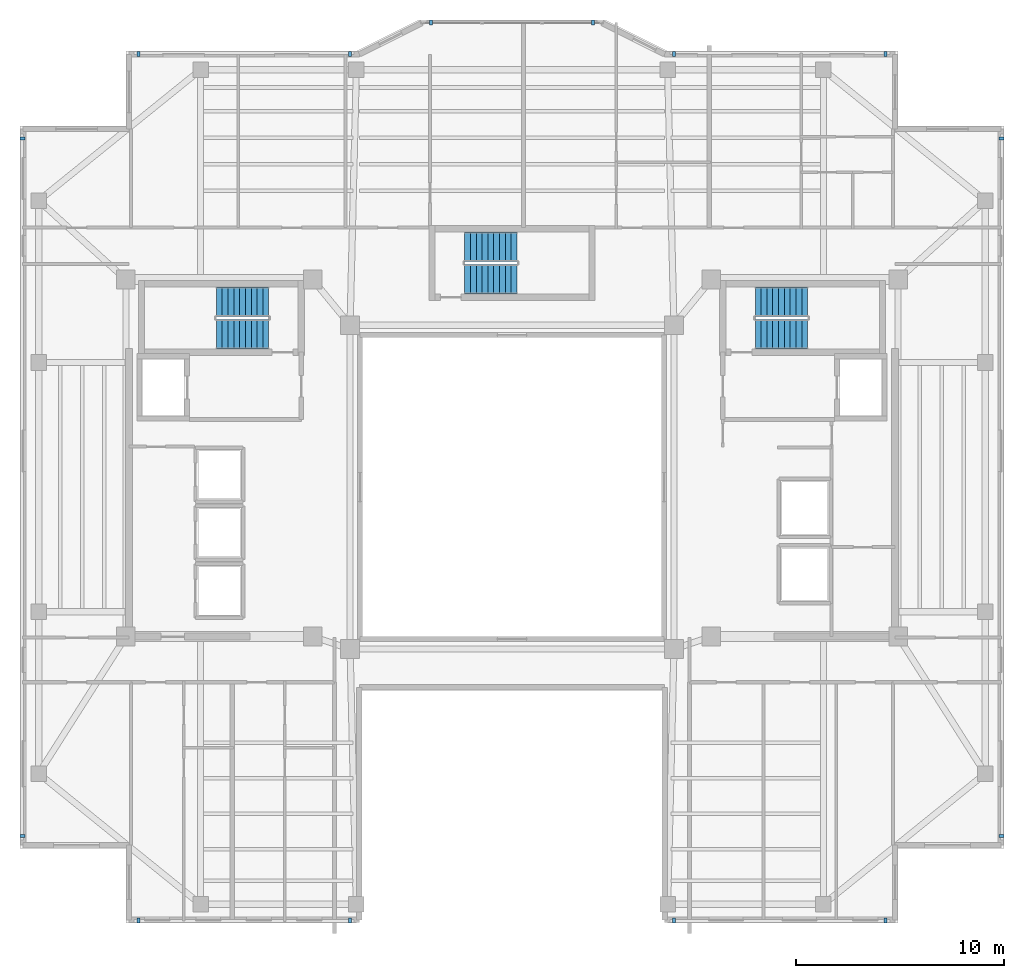
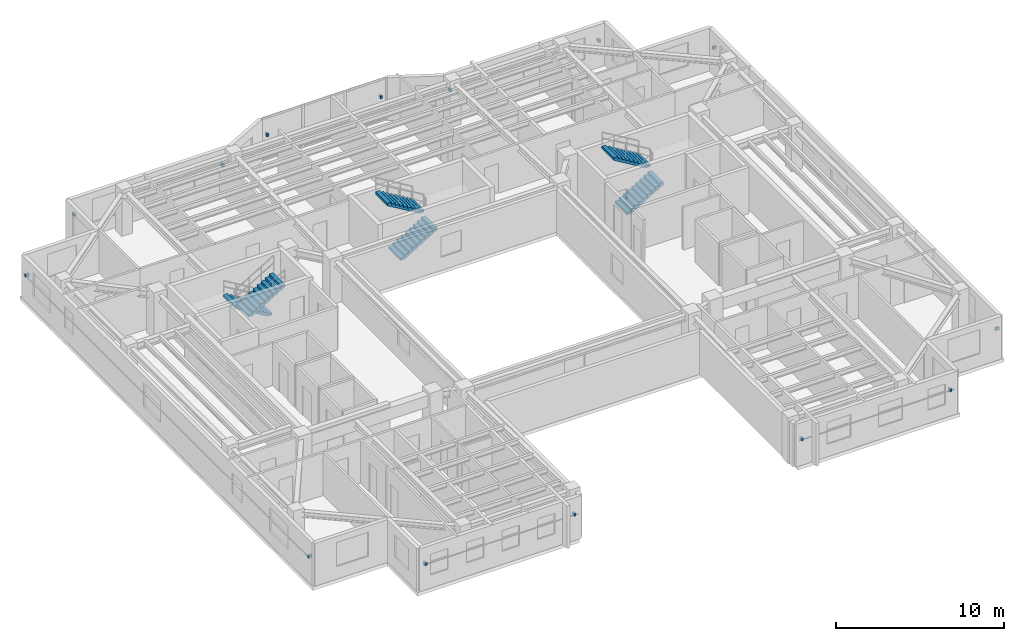
# One storey, part 8 of 11: 14 discrete accessories, 6 stair flights, 3 elements without a shape of their own.
"""IFC4 building model written with IfcOpenShell, lengths in metres."""

from ifc_helpers import new_model, si_unit, direction, frame, origin, origin_2d, place, context, subcontext, project, spatial, polyline, rectangle, outline, extrude, material, type_object, element, aggregate, save


model = new_model("IFC4")

# Units and contexts
model_context = context("Model", 3, precision=1e-05, world=origin(), true_north=direction((0.0, 1.0)))
body_context = subcontext(model_context, "Body", "Model", "MODEL_VIEW")
ifc_project = project(units=[si_unit("LENGTHUNIT", "METRE"), si_unit("AREAUNIT", "SQUARE_METRE"), si_unit("VOLUMEUNIT", "CUBIC_METRE"), si_unit("PLANEANGLEUNIT", "RADIAN"), si_unit("MASSUNIT", "GRAM", prefix="KILO")], contexts=[model_context])

# Site, building, storey
site_placement = place(None, origin())
site = spatial("IfcSite", under=ifc_project, at=site_placement, CompositionType="ELEMENT")
building_placement = place(site_placement, origin())
building = spatial("IfcBuilding", under=site, at=building_placement, Name="Tarnavaz Court Tower", CompositionType="ELEMENT")
storey_placement = place(building_placement, frame((0.0, 0.0, 213.699951171875)))
storey = spatial("IfcBuildingStorey", under=building, at=storey_placement, Name="L58", CompositionType="ELEMENT", Elevation=213.699951171875)

# Stair, stair flights
ifc_material_1 = material(Name="Concrete C40/50", Category="concrete")
stair_type = type_object("IfcStairType", Name="ST-TWR-20R", PredefinedType="HALF_TURN_STAIR", material=ifc_material_1)
stair_1_placement = place(storey_placement, origin())
stair_1 = element("IfcStair", 1, at=stair_1_placement, inside=storey, type_object=stair_type, Name="L58 West Core Pressurized Exit Stair ST-W1", PredefinedType="HALF_TURN_STAIR")
stair_flight_type = type_object("IfcStairFlightType", Name="SFL-RC-20R", PredefinedType="STRAIGHT", material=ifc_material_1)
stair_flight_1_placement = place(storey_placement, frame((-11.719970703125, 8.929931640625, 0.0), z_axis=(0.0, 0.0, 1.0), x_axis=(-1.0, 0.0, 0.0)))
stair_flight_1 = element("IfcStairFlight", 2, at=stair_flight_1_placement, type_object=stair_flight_type, Name="ST-W1 flight 1", NumberOfRisers=10, NumberOfTreads=9, PredefinedType="STRAIGHT", RiserHeight=0.1675, TreadLength=0.28, context=body_context, shape_type="SweptSolid", body=[
    extrude(outline(polyline([(0.0, 0.0), (0.0, 0.16748046875), (0.280029296875, 0.16748046875), (0.280029296875, 0.3349609375), (0.56005859375, 0.3349609375), (0.56005859375, 0.50244140625), (0.840087890625, 0.50244140625), (0.840087890625, 0.669921875), (1.1201171875, 0.669921875), (1.1201171875, 0.83740234375), (1.39990234375, 0.83740234375), (1.39990234375, 1.0048828125), (1.679931640625, 1.0048828125), (1.679931640625, 1.172607421875), (1.9599609375, 1.172607421875), (1.9599609375, 1.340087890625), (2.239990234375, 1.340087890625), (2.239990234375, 1.507568359375), (2.52001953125, 1.507568359375), (2.52001953125, 1.675048828125), (2.52001953125, 1.332763671875), (0.2919921875, 0.0), (0.0, 0.0)])), frame((0.0, 0.7099609375, 0.0), z_axis=(0.0, -1.0, 0.0), x_axis=(1.0, 0.0, 0.0)), (0.0, 0.0, 1.0), 1.419921875),
])
stair_flight_2_placement = place(storey_placement, frame((-14.239990234375, 7.360107421875, 1.675048828125), z_axis=(0.0, 0.0, 1.0), x_axis=(1.0, 0.0, 0.0)))
stair_flight_2 = element("IfcStairFlight", 3, at=stair_flight_2_placement, type_object=stair_flight_type, Name="ST-W1 flight 2", NumberOfRisers=10, NumberOfTreads=9, PredefinedType="STRAIGHT", RiserHeight=0.1675, TreadLength=0.28, context=body_context, shape_type="SweptSolid", body=[
    extrude(outline(polyline([(0.0, 0.0), (0.0, 0.16748046875), (0.280029296875, 0.16748046875), (0.280029296875, 0.3349609375), (0.56005859375, 0.3349609375), (0.56005859375, 0.50244140625), (0.840087890625, 0.50244140625), (0.840087890625, 0.669921875), (1.1201171875, 0.669921875), (1.1201171875, 0.83740234375), (1.39990234375, 0.83740234375), (1.39990234375, 1.0048828125), (1.679931640625, 1.0048828125), (1.679931640625, 1.172607421875), (1.9599609375, 1.172607421875), (1.9599609375, 1.340087890625), (2.239990234375, 1.340087890625), (2.239990234375, 1.507568359375), (2.52001953125, 1.507568359375), (2.52001953125, 1.675048828125), (2.52001953125, 1.332763671875), (0.2919921875, 0.0), (0.0, 0.0)])), frame((0.0, 0.7099609375, 0.0), z_axis=(0.0, -1.0, 0.0), x_axis=(1.0, 0.0, 0.0)), (0.0, 0.0, 1.0), 1.419921875),
])
aggregate(stair_1, [stair_flight_1, stair_flight_2])

stair_2_placement = place(storey_placement, origin())
stair_2 = element("IfcStair", 4, at=stair_2_placement, inside=storey, type_object=stair_type, Name="L58 East Core Pressurized Exit Stair ST-E1", PredefinedType="HALF_TURN_STAIR")
stair_flight_3_placement = place(storey_placement, frame((11.719970703125, 7.360107421875, 0.0), z_axis=(0.0, 0.0, 1.0), x_axis=(1.0, 0.0, 0.0)))
stair_flight_3 = element("IfcStairFlight", 5, at=stair_flight_3_placement, type_object=stair_flight_type, Name="ST-E1 flight 1", NumberOfRisers=10, NumberOfTreads=9, PredefinedType="STRAIGHT", RiserHeight=0.1675, TreadLength=0.28, context=body_context, shape_type="SweptSolid", body=[
    extrude(outline(polyline([(0.0, 0.0), (0.0, 0.16748046875), (0.280029296875, 0.16748046875), (0.280029296875, 0.3349609375), (0.56005859375, 0.3349609375), (0.56005859375, 0.50244140625), (0.840087890625, 0.50244140625), (0.840087890625, 0.669921875), (1.1201171875, 0.669921875), (1.1201171875, 0.83740234375), (1.39990234375, 0.83740234375), (1.39990234375, 1.0048828125), (1.679931640625, 1.0048828125), (1.679931640625, 1.172607421875), (1.9599609375, 1.172607421875), (1.9599609375, 1.340087890625), (2.239990234375, 1.340087890625), (2.239990234375, 1.507568359375), (2.52001953125, 1.507568359375), (2.52001953125, 1.675048828125), (2.52001953125, 1.332763671875), (0.2919921875, 0.0), (0.0, 0.0)])), frame((0.0, 0.7099609375, 0.0), z_axis=(0.0, -1.0, 0.0), x_axis=(1.0, 0.0, 0.0)), (0.0, 0.0, 1.0), 1.419921875),
])
stair_flight_4_placement = place(storey_placement, frame((14.239990234375, 8.929931640625, 1.675048828125), z_axis=(0.0, 0.0, 1.0), x_axis=(-1.0, 0.0, 0.0)))
stair_flight_4 = element("IfcStairFlight", 6, at=stair_flight_4_placement, type_object=stair_flight_type, Name="ST-E1 flight 2", NumberOfRisers=10, NumberOfTreads=9, PredefinedType="STRAIGHT", RiserHeight=0.1675, TreadLength=0.28, context=body_context, shape_type="SweptSolid", body=[
    extrude(outline(polyline([(0.0, 0.0), (0.0, 0.16748046875), (0.280029296875, 0.16748046875), (0.280029296875, 0.3349609375), (0.56005859375, 0.3349609375), (0.56005859375, 0.50244140625), (0.840087890625, 0.50244140625), (0.840087890625, 0.669921875), (1.1201171875, 0.669921875), (1.1201171875, 0.83740234375), (1.39990234375, 0.83740234375), (1.39990234375, 1.0048828125), (1.679931640625, 1.0048828125), (1.679931640625, 1.172607421875), (1.9599609375, 1.172607421875), (1.9599609375, 1.340087890625), (2.239990234375, 1.340087890625), (2.239990234375, 1.507568359375), (2.52001953125, 1.507568359375), (2.52001953125, 1.675048828125), (2.52001953125, 1.332763671875), (0.2919921875, 0.0), (0.0, 0.0)])), frame((0.0, 0.7099609375, 0.0), z_axis=(0.0, -1.0, 0.0), x_axis=(1.0, 0.0, 0.0)), (0.0, 0.0, 1.0), 1.419921875),
])
aggregate(stair_2, [stair_flight_3, stair_flight_4])

stair_3_placement = place(storey_placement, origin())
stair_3 = element("IfcStair", 7, at=stair_3_placement, inside=storey, type_object=stair_type, Name="L58 North Ring Pressurized Exit Stair ST-N1", PredefinedType="HALF_TURN_STAIR")
stair_flight_5_placement = place(storey_placement, frame((-2.280029296875, 10.010009765625, 0.0), z_axis=(0.0, 0.0, 1.0), x_axis=(1.0, 0.0, 0.0)))
stair_flight_5 = element("IfcStairFlight", 8, at=stair_flight_5_placement, type_object=stair_flight_type, Name="ST-N1 flight 1", NumberOfRisers=10, NumberOfTreads=9, PredefinedType="STRAIGHT", RiserHeight=0.1675, TreadLength=0.28, context=body_context, shape_type="SweptSolid", body=[
    extrude(outline(polyline([(0.0, 0.0), (0.0, 0.16748046875), (0.280029296875, 0.16748046875), (0.280029296875, 0.3349609375), (0.56005859375, 0.3349609375), (0.56005859375, 0.50244140625), (0.840087890625, 0.50244140625), (0.840087890625, 0.669921875), (1.1201171875, 0.669921875), (1.1201171875, 0.83740234375), (1.39990234375, 0.83740234375), (1.39990234375, 1.0048828125), (1.679931640625, 1.0048828125), (1.679931640625, 1.172607421875), (1.9599609375, 1.172607421875), (1.9599609375, 1.340087890625), (2.239990234375, 1.340087890625), (2.239990234375, 1.507568359375), (2.52001953125, 1.507568359375), (2.52001953125, 1.675048828125), (2.52001953125, 1.332763671875), (0.2919921875, 0.0), (0.0, 0.0)])), frame((0.0, 0.7099609375, 0.0), z_axis=(0.0, -1.0, 0.0), x_axis=(1.0, 0.0, 0.0)), (0.0, 0.0, 1.0), 1.419921875),
])
stair_flight_6_placement = place(storey_placement, frame((0.239990234375, 11.580078125, 1.675048828125), z_axis=(0.0, 0.0, 1.0), x_axis=(-1.0, 0.0, 0.0)))
stair_flight_6 = element("IfcStairFlight", 9, at=stair_flight_6_placement, type_object=stair_flight_type, Name="ST-N1 flight 2", NumberOfRisers=10, NumberOfTreads=9, PredefinedType="STRAIGHT", RiserHeight=0.1675, TreadLength=0.28, context=body_context, shape_type="SweptSolid", body=[
    extrude(outline(polyline([(0.0, 0.0), (0.0, 0.16748046875), (0.280029296875, 0.16748046875), (0.280029296875, 0.3349609375), (0.56005859375, 0.3349609375), (0.56005859375, 0.50244140625), (0.840087890625, 0.50244140625), (0.840087890625, 0.669921875), (1.1201171875, 0.669921875), (1.1201171875, 0.83740234375), (1.39990234375, 0.83740234375), (1.39990234375, 1.0048828125), (1.679931640625, 1.0048828125), (1.679931640625, 1.172607421875), (1.9599609375, 1.172607421875), (1.9599609375, 1.340087890625), (2.239990234375, 1.340087890625), (2.239990234375, 1.507568359375), (2.52001953125, 1.507568359375), (2.52001953125, 1.675048828125), (2.52001953125, 1.332763671875), (0.2919921875, 0.0), (0.0, 0.0)])), frame((0.0, 0.7099609375, 0.0), z_axis=(0.0, -1.0, 0.0), x_axis=(1.0, 0.0, 0.0)), (0.0, 0.0, 1.0), 1.419921875),
])
aggregate(stair_3, [stair_flight_5, stair_flight_6])

# Discrete accessories
ifc_material_2 = material(Name="Anodised Aluminium 6063-T6", Category="aluminium")
discrete_accessory_type = type_object("IfcDiscreteAccessoryType", Name="DA-BRKT-ALU", PredefinedType="BRACKET", material=ifc_material_2)
for number, where, z_axis, x_axis, name in (
    (10, (-23.570068359375, -16.800048828125, 1.75), (0.0, 0.0, 1.0), (0.0, 1.0, 0.0), "L58 Baguette Outrigger Bracket FBG02-1"),
    (11, (-23.570068359375, 16.800048828125, 1.75), (0.0, 0.0, 1.0), (0.0, 1.0, 0.0), "L58 Baguette Outrigger Bracket FBG02-2"),
    (12, (-18.0, 20.8701171875, 1.75), (0.0, 0.0, 1.0), (1.0, 0.0, 0.0), "L58 Baguette Outrigger Bracket FBG05-1"),
    (13, (-7.800048828125, 20.8701171875, 1.75), (0.0, 0.0, 1.0), (1.0, 0.0, 0.0), "L58 Baguette Outrigger Bracket FBG05-2"),
    (14, (-3.89990234375, 22.3701171875, 1.7001953125), (0.0, 0.0, 1.0), (1.0, 0.0, 0.0), "L58 Baguette Outrigger Bracket PBG7-1"),
    (15, (3.89990234375, 22.3701171875, 1.7001953125), (0.0, 0.0, 1.0), (1.0, 0.0, 0.0), "L58 Baguette Outrigger Bracket PBG7-2"),
    (16, (7.800048828125, 20.8701171875, 1.75), (0.0, 0.0, 1.0), (1.0, 0.0, 0.0), "L58 Baguette Outrigger Bracket FBG09-1"),
    (17, (18.0, 20.8701171875, 1.75), (0.0, 0.0, 1.0), (1.0, 0.0, 0.0), "L58 Baguette Outrigger Bracket FBG09-2"),
    (18, (23.570068359375, 16.800048828125, 1.75), (0.0, 0.0, 1.0), (0.0, -1.0, 0.0), "L58 Baguette Outrigger Bracket FBG12-1"),
    (19, (23.570068359375, -16.800048828125, 1.75), (0.0, 0.0, 1.0), (0.0, -1.0, 0.0), "L58 Baguette Outrigger Bracket FBG12-2"),
    (20, (18.0, -20.8701171875, 1.75), (0.0, 0.0, 1.0), (-1.0, 0.0, 0.0), "L58 Baguette Outrigger Bracket FBG15-1"),
    (21, (7.800048828125, -20.8701171875, 1.75), (0.0, 0.0, 1.0), (-1.0, 0.0, 0.0), "L58 Baguette Outrigger Bracket FBG15-2"),
    (22, (-7.800048828125, -20.8701171875, 1.75), (0.0, 0.0, 1.0), (-1.0, 0.0, 0.0), "L58 Baguette Outrigger Bracket FBG19-1"),
    (23, (-18.0, -20.8701171875, 1.75), (0.0, 0.0, 1.0), (-1.0, 0.0, 0.0), "L58 Baguette Outrigger Bracket FBG19-2"),
):
    element("IfcDiscreteAccessory", number, at=place(storey_placement, frame(where, z_axis=z_axis, x_axis=x_axis)), inside=storey, type_object=discrete_accessory_type, Name=name, PredefinedType="BRACKET", context=body_context, shape_type="SweptSolid", body=[
        extrude(rectangle(XDim=0.139892578125, YDim=0.239990234375, at=origin_2d()), origin(), (0.0, 0.0, 1.0), 0.199951171875),
    ])

save(model, "model.ifc")
